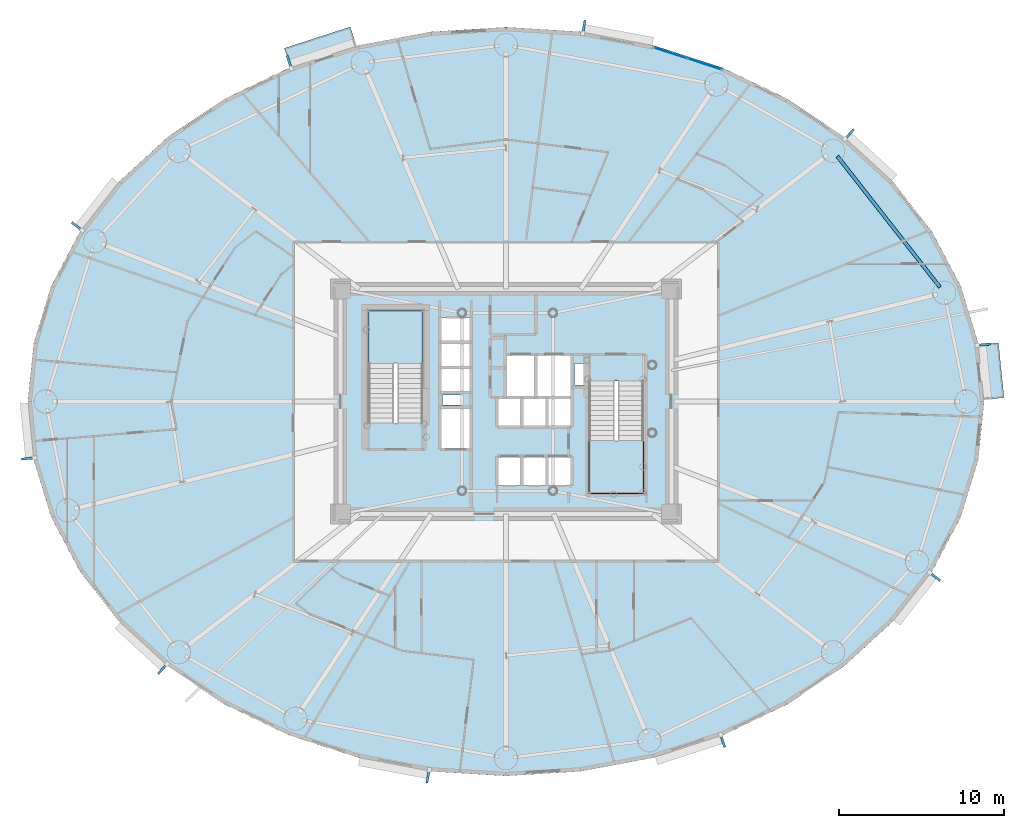
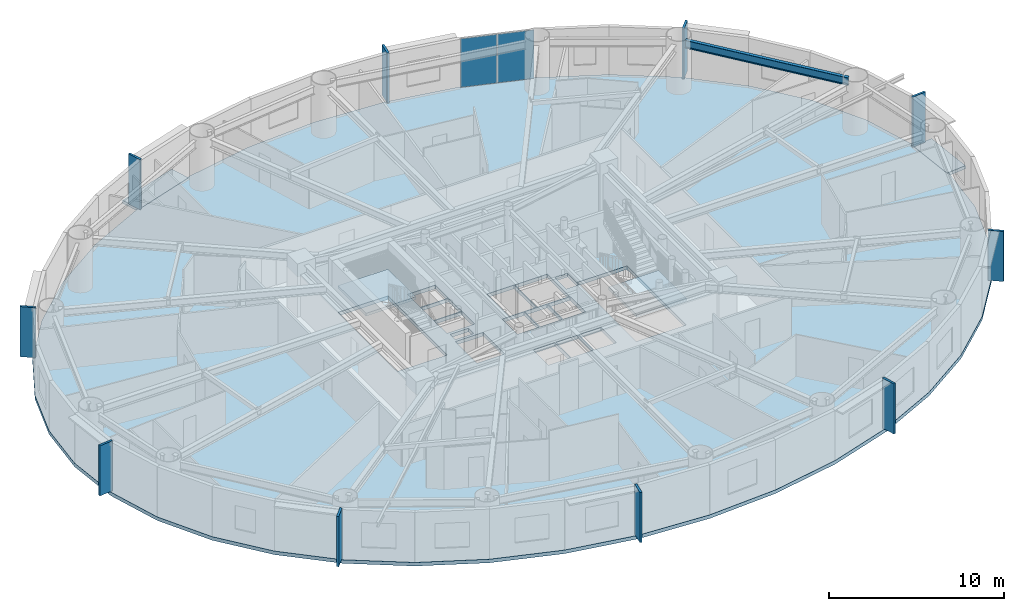
# One storey, part 6 of 21: 12 plates, 5 slabs, 1 beam, 3 elements without a shape of their own.
"""IFC4 building model written with IfcOpenShell, lengths in metres."""

from ifc_helpers import new_model, si_unit, direction, frame, origin, origin_2d, place, context, subcontext, project, spatial, polyline, rectangle, i_section, outline, extrude, source, transform, mapped, material, layer, layer_set, material_profile, profile_set, type_object, element, aggregate, save


model = new_model("IFC4")

# Units and contexts
model_context = context("Model", 3, precision=1e-05, world=origin(), true_north=direction((0.0, 1.0)))
body_context = subcontext(model_context, "Body", "Model", "MODEL_VIEW")
ifc_project = project(units=[si_unit("LENGTHUNIT", "METRE"), si_unit("AREAUNIT", "SQUARE_METRE"), si_unit("VOLUMEUNIT", "CUBIC_METRE"), si_unit("PLANEANGLEUNIT", "RADIAN"), si_unit("MASSUNIT", "GRAM", prefix="KILO")], contexts=[model_context])

# Site, building, storey
site_placement = place(None, origin())
site = spatial("IfcSite", under=ifc_project, at=site_placement, CompositionType="ELEMENT")
building_placement = place(site_placement, origin())
building = spatial("IfcBuilding", under=site, at=building_placement, Name="Linh Dai School and Residence Tower", CompositionType="ELEMENT")
storey_placement = place(building_placement, frame((0.0, 0.0, 97.199951171875)))
storey = spatial("IfcBuildingStorey", under=building, at=storey_placement, Name="L22", CompositionType="ELEMENT", Elevation=97.199951171875)

# Beam
ifc_material_1 = material(Name="Structural Steel S355JR", Category="steel")
ifc_material_profile = material_profile(ifc_material_1, i_section(OverallWidth=0.2099609375, OverallDepth=0.550048828125, WebThickness=0.010986328125, FlangeThickness=0.01708984375, FilletRadius=0.02392578125, at=origin_2d()), Name="IPE 550")
ifc_profile_set = profile_set([ifc_material_profile], Name="Structural Steel S355JR")
beam_type = type_object("IfcBeamType", Name="BM-RB55", PredefinedType="BEAM", material=ifc_profile_set)
beam_placement = place(storey_placement, frame((62.233642578125, 33.91162109375, 3.22509765625), z_axis=(-0.616854830973, 0.787076945098, 0.0), x_axis=(-0.787076945098, -0.616854830973, 0.0)))
element("IfcBeam", 1, at=beam_placement, inside=storey, type_object=beam_type, Name="L22 Perimeter Elliptical Ring Beam 02", PredefinedType="BEAM", context=body_context, shape_type="SweptSolid", body=[
    extrude(i_section(OverallWidth=0.2099609375, OverallDepth=0.550048828125, WebThickness=0.010986328125, FlangeThickness=0.01708984375, FilletRadius=0.02392578125, at=origin_2d()), origin(), (0.0, 0.0, 1.0), 10.053955078125),
])

# Slabs
ifc_material_2 = material(Name="Concrete B45 (C35/45)", Category="concrete")
ifc_layer_1 = layer(ifc_material_2, 0.219970703125)
ifc_layer_set_1 = layer_set([ifc_layer_1], Name="Concrete B45 (C35/45)")
slab_type_1 = type_object("IfcSlabType", Name="SLB-BALC-220", PredefinedType="FLOOR", material=ifc_layer_set_1)
slab_1_placement = place(storey_placement, frame((0.0, 0.0, -0.219970703125)))
element("IfcSlab", 2, at=slab_1_placement, inside=storey, type_object=slab_type_1, Name="L22 Sliding Balcony Slab 01", PredefinedType="FLOOR", context=body_context, shape_type="SweptSolid", body=[
    extrude(outline(polyline([(64.4765625, 30.42041015625), (64.809814453125, 27.10400390625), (66.103271484375, 27.234130859375), (65.77001953125, 30.55029296875), (64.4765625, 30.42041015625)])), origin(), (0.0, 0.0, 1.0), 0.219970703125),
])
slab_2_placement = place(storey_placement, frame((0.0, 0.0, -0.219970703125)))
element("IfcSlab", 3, at=slab_2_placement, inside=storey, type_object=slab_type_1, Name="L22 Sliding Balcony Slab 13", PredefinedType="FLOOR", context=body_context, shape_type="SweptSolid", body=[
    extrude(outline(polyline([(23.00732421875, 47.12109375), (26.9912109375, 48.413330078125), (26.590087890625, 49.64990234375), (22.606201171875, 48.357666015625), (23.00732421875, 47.12109375)])), origin(), (0.0, 0.0, 1.0), 0.219970703125),
])
ifc_layer_2 = layer(ifc_material_2, 0.25)
ifc_layer_set_2 = layer_set([ifc_layer_2], Name="Concrete B45 (C35/45)")
slab_type_2 = type_object("IfcSlabType", Name="SLB-FLR250", PredefinedType="FLOOR", material=ifc_layer_set_2)
slab_3_placement = place(storey_placement, frame((0.0, 0.0, -0.25)))
element("IfcSlab", 4, at=slab_3_placement, inside=storey, type_object=slab_type_2, Name="L22 Composite Structural Floor Slab", PredefinedType="FLOOR", context=body_context, shape_type="SweptSolid", body=[
    extrude(outline(polyline([(64.89990234375, 27.0), (64.544189453125, 30.5400390625), (63.485595703125, 33.9931640625), (61.75, 37.27392578125), (59.380615234375, 40.301513671875), (56.435302734375, 43.001708984375), (52.987060546875, 45.30810546875), (49.120361328125, 47.16357421875), (44.9306640625, 48.5224609375), (40.52099609375, 49.351318359375), (36.0, 49.6298828125), (31.47900390625, 49.351318359375), (27.0693359375, 48.5224609375), (22.879638671875, 47.16357421875), (19.012939453125, 45.30810546875), (15.564697265625, 43.001708984375), (12.619384765625, 40.301513671875), (10.25, 37.27392578125), (8.514404296875, 33.9931640625), (7.455810546875, 30.5400390625), (7.10009765625, 27.0), (7.455810546875, 23.4599609375), (8.514404296875, 20.0068359375), (10.25, 16.72607421875), (12.619384765625, 13.698486328125), (15.564697265625, 10.998291015625), (19.012939453125, 8.69189453125), (22.879638671875, 6.83642578125), (27.0693359375, 5.4775390625), (31.47900390625, 4.648681640625), (36.0, 4.3701171875), (40.52099609375, 4.648681640625), (44.9306640625, 5.4775390625), (49.120361328125, 6.83642578125), (52.987060546875, 8.69189453125), (56.435302734375, 10.998291015625), (59.380615234375, 13.698486328125), (61.75, 16.72607421875), (63.485595703125, 20.0068359375), (64.544189453125, 23.4599609375), (64.89990234375, 27.0)]), holes=[polyline([(30.97998046875, 25.699951171875), (30.97998046875, 32.5), (27.679931640625, 32.5), (27.679931640625, 25.699951171875), (30.97998046875, 25.699951171875)]), polyline([(41.02001953125, 28.25), (41.02001953125, 21.449951171875), (44.320068359375, 21.449951171875), (44.320068359375, 28.25), (41.02001953125, 28.25)]), polyline([(35.97998046875, 27.280029296875), (37.77001953125, 27.280029296875), (37.77001953125, 29.820068359375), (35.97998046875, 29.820068359375), (35.97998046875, 27.280029296875)]), polyline([(32.030029296875, 24.1298828125), (33.8701171875, 24.1298828125), (33.8701171875, 26.6201171875), (32.030029296875, 26.6201171875), (32.030029296875, 24.1298828125)]), polyline([(37.830078125, 27.280029296875), (39.969970703125, 27.280029296875), (39.969970703125, 29.820068359375), (37.830078125, 29.820068359375), (37.830078125, 27.280029296875)]), polyline([(35.47998046875, 21.929931640625), (36.929931640625, 21.929931640625), (36.929931640625, 23.669921875), (35.47998046875, 23.669921875), (35.47998046875, 21.929931640625)]), polyline([(36.989990234375, 21.929931640625), (38.449951171875, 21.929931640625), (38.449951171875, 23.669921875), (36.989990234375, 23.669921875), (36.989990234375, 21.929931640625)]), polyline([(38.510009765625, 21.929931640625), (39.969970703125, 21.929931640625), (39.969970703125, 23.669921875), (38.510009765625, 23.669921875), (38.510009765625, 21.929931640625)]), polyline([(32.030029296875, 27.580078125), (33.8701171875, 27.580078125), (33.8701171875, 29.030029296875), (32.030029296875, 29.030029296875), (32.030029296875, 27.580078125)]), polyline([(32.030029296875, 29.090087890625), (33.8701171875, 29.090087890625), (33.8701171875, 30.550048828125), (32.030029296875, 30.550048828125), (32.030029296875, 29.090087890625)]), polyline([(32.030029296875, 30.610107421875), (33.8701171875, 30.610107421875), (33.8701171875, 32.070068359375), (32.030029296875, 32.070068359375), (32.030029296875, 30.610107421875)]), polyline([(35.47998046875, 25.47998046875), (36.929931640625, 25.47998046875), (36.929931640625, 27.219970703125), (35.47998046875, 27.219970703125), (35.47998046875, 25.47998046875)]), polyline([(36.989990234375, 25.47998046875), (38.449951171875, 25.47998046875), (38.449951171875, 27.219970703125), (36.989990234375, 27.219970703125), (36.989990234375, 25.47998046875)]), polyline([(38.510009765625, 25.47998046875), (39.969970703125, 25.47998046875), (39.969970703125, 27.219970703125), (38.510009765625, 27.219970703125), (38.510009765625, 25.47998046875)]), polyline([(40.14990234375, 28.0), (40.14990234375, 29.300048828125), (41.0, 29.300048828125), (41.0, 28.280029296875), (40.989990234375, 28.280029296875), (40.989990234375, 28.0), (40.14990234375, 28.0)]), polyline([(32.14990234375, 26.800048828125), (33.35009765625, 26.800048828125), (33.35009765625, 27.39990234375), (32.14990234375, 27.39990234375), (32.14990234375, 26.800048828125)])]), origin(), (0.0, 0.0, 1.0), 0.25),
])

# Stair, slab
stair_type = type_object("IfcStairType", Name="ST-DOG-1550-R1442", PredefinedType="HALF_TURN_STAIR", material=ifc_material_2)
stair_1_placement = place(storey_placement, origin())
stair_1 = element("IfcStair", 5, at=stair_1_placement, inside=storey, type_object=stair_type, Name="L22 Core Smokeproof Exit Stair ST1", PredefinedType="HALF_TURN_STAIR")
ifc_layer_3 = layer(ifc_material_2, 0.199951171875)
ifc_layer_set_3 = layer_set([ifc_layer_3], Name="Concrete B45 (C35/45)")
slab_type_3 = type_object("IfcSlabType", Name="SLB-ST-LANDING-200", PredefinedType="LANDING", material=ifc_layer_set_3)
slab_4_placement = place(storey_placement, frame((0.0, 0.0, 1.675048828125)))
slab_4 = element("IfcSlab", 6, at=slab_4_placement, type_object=slab_type_3, Name="ST1 landing 1", PredefinedType="LANDING", context=body_context, shape_type="SweptSolid", body=[
    extrude(outline(polyline([(30.97998046875, 29.300048828125), (30.97998046875, 32.5), (27.679931640625, 32.5), (27.679931640625, 29.300048828125), (30.97998046875, 29.300048828125)])), origin(), (0.0, 0.0, 1.0), 0.199951171875),
])
aggregate(stair_1, [slab_4])

stair_2_placement = place(storey_placement, origin())
stair_2 = element("IfcStair", 7, at=stair_2_placement, inside=storey, type_object=stair_type, Name="L22 Core Smokeproof Exit Stair ST2", PredefinedType="HALF_TURN_STAIR")
slab_5_placement = place(storey_placement, frame((0.0, 0.0, 1.675048828125)))
slab_5 = element("IfcSlab", 8, at=slab_5_placement, type_object=slab_type_3, Name="ST2 landing 1", PredefinedType="LANDING", context=body_context, shape_type="SweptSolid", body=[
    extrude(outline(polyline([(41.02001953125, 24.64990234375), (41.02001953125, 21.449951171875), (44.320068359375, 21.449951171875), (44.320068359375, 24.64990234375), (41.02001953125, 24.64990234375)])), origin(), (0.0, 0.0, 1.0), 0.199951171875),
])
aggregate(stair_2, [slab_5])

# Plates
ifc_material_3 = material(Name="Precast Concrete B45 (C35/45)", Category="concrete")
ifc_layer_4 = layer(ifc_material_3, 0.139892578125)
ifc_layer_set_4 = layer_set([ifc_layer_4], Name="Precast Concrete B45 (C35/45)")
plate_type_1 = type_object("IfcPlateType", Name="FIN-TC-900x140", PredefinedType="USERDEFINED", material=ifc_layer_set_4)
shared_shape_1 = source(origin(), body_context, "Body", "SweptSolid", [
    extrude(rectangle(XDim=0.89990234375, YDim=0.139892578125, at=origin_2d()), origin(), (0.0, 0.0, 1.0), 3.5),
])
for number, where, z_axis, x_axis, name in (
    (9, (64.841552734375, 30.43701171875, 0.0), (0.0, 0.0, 1.0), (0.994986703684, 0.100007297192, 0.0), "L22 Precast Terracotta Radial Fin 01"),
    (10, (56.723876953125, 43.12451171875, 0.0), (0.0, 0.0, 1.0), (0.675783395482, 0.737100266172, 0.0), "L22 Precast Terracotta Radial Fin 05"),
    (11, (40.69921875, 49.608154296875, 0.0), (0.0, 0.0, 1.0), (0.18475466193, 0.982784673718, 0.0), "L22 Precast Terracotta Radial Fin 09"),
    (12, (22.91357421875, 47.474365234375, 0.0), (0.0, 0.0, 1.0), (-0.308522363457, 0.951217089442, 0.0), "L22 Precast Terracotta Radial Fin 13"),
    (13, (10.105712890625, 37.552734375, 0.0), (0.0, 0.0, 1.0), (-0.787507539838, 0.616305017583, 0.0), "L22 Precast Terracotta Radial Fin 17"),
    (14, (7.158447265625, 23.56298828125, 0.0), (0.0, 0.0, 1.0), (-0.994986703684, -0.100007297192, 0.0), "L22 Precast Terracotta Radial Fin 21"),
    (15, (15.276123046875, 10.87548828125, 0.0), (0.0, 0.0, 1.0), (-0.675783395482, -0.737100266172, 0.0), "L22 Precast Terracotta Radial Fin 25"),
    (16, (31.30078125, 4.391845703125, 0.0), (0.0, 0.0, 1.0), (-0.18475466193, -0.982784673718, 0.0), "L22 Precast Terracotta Radial Fin 29"),
    (17, (49.08642578125, 6.525634765625, 0.0), (0.0, 0.0, 1.0), (0.308522363457, -0.951217089442, 0.0), "L22 Precast Terracotta Radial Fin 33"),
    (18, (61.894287109375, 16.447265625, 0.0), (0.0, 0.0, 1.0), (0.787507539838, -0.616305017583, 0.0), "L22 Precast Terracotta Radial Fin 37"),
):
    element("IfcPlate", number, at=place(storey_placement, frame(where, z_axis=z_axis, x_axis=x_axis)), inside=storey, type_object=plate_type_1, Name=name, ObjectType="RADIAL FIN", PredefinedType="USERDEFINED", context=body_context, shape_type="MappedRepresentation", body=[
        mapped(shared_shape_1, transform((0.0, 0.0, 0.0), x_axis=(1.0, 0.0, 0.0), y_axis=(0.0, 1.0, 0.0), z_axis=(0.0, 0.0, 1.0), scale=1.0)),
    ])

# Curtain wall, plates
ifc_material_4 = material(Name="Aluminium Anodised Curtain Wall", Category="aluminium")
ifc_layer_5 = layer(ifc_material_4, 0.14990234375)
ifc_layer_set_5 = layer_set([ifc_layer_5], Name="Aluminium Anodised Curtain Wall")
curtain_wall_type = type_object("IfcCurtainWallType", Name="CW-SYS-4", PredefinedType="USERDEFINED", material=ifc_layer_set_5)
curtain_wall_placement = place(storey_placement, origin())
curtain_wall = element("IfcCurtainWall", 19, at=curtain_wall_placement, inside=storey, type_object=curtain_wall_type, Name="L22 CW4 Curtain Wall 08", ObjectType="RIBBON CURTAIN WALL", PredefinedType="USERDEFINED")
ifc_material_5 = material(Name="Double Low-E Insulated Glazing", Category="glass")
ifc_layer_6 = layer(ifc_material_5, 0.02587890625)
ifc_layer_set_6 = layer_set([ifc_layer_6], Name="Double Low-E Insulated Glazing")
plate_type_2 = type_object("IfcPlateType", Name="CW-SYS-4-PAN", PredefinedType="CURTAIN_PANEL", material=ifc_layer_set_6)
shared_shape_2 = source(origin(), body_context, "Body", "SweptSolid", [
    extrude(rectangle(XDim=2.1162109375, YDim=0.02587890625, at=origin_2d()), origin(), (0.0, 0.0, 1.0), 3.39599609375),
])
plate_1_placement = place(storey_placement, frame((45.955810546875, 48.058837890625, 0.052001953125), z_axis=(0.0, 0.0, 1.0), x_axis=(0.951217089442, -0.308522363457, 0.0)))
plate_1 = element("IfcPlate", 20, at=plate_1_placement, type_object=plate_type_2, Name="CW4 panel 1.1", PredefinedType="CURTAIN_PANEL", context=body_context, shape_type="MappedRepresentation", body=[
    mapped(shared_shape_2, transform((0.0, 0.0, 0.0), x_axis=(1.0, 0.0, 0.0), y_axis=(0.0, 1.0, 0.0), z_axis=(0.0, 0.0, 1.0), scale=1.0)),
])
plate_2_placement = place(storey_placement, frame((48.01806640625, 47.389892578125, 0.052001953125), z_axis=(0.0, 0.0, 1.0), x_axis=(0.951217089442, -0.308522363457, 0.0)))
plate_2 = element("IfcPlate", 21, at=plate_2_placement, type_object=plate_type_2, Name="CW4 panel 2.1", PredefinedType="CURTAIN_PANEL", context=body_context, shape_type="MappedRepresentation", body=[
    mapped(shared_shape_2, transform((0.0, 0.0, 0.0), x_axis=(1.0, 0.0, 0.0), y_axis=(0.0, 1.0, 0.0), z_axis=(0.0, 0.0, 1.0), scale=1.0)),
])
aggregate(curtain_wall, [plate_1, plate_2])

save(model, "model.ifc")
